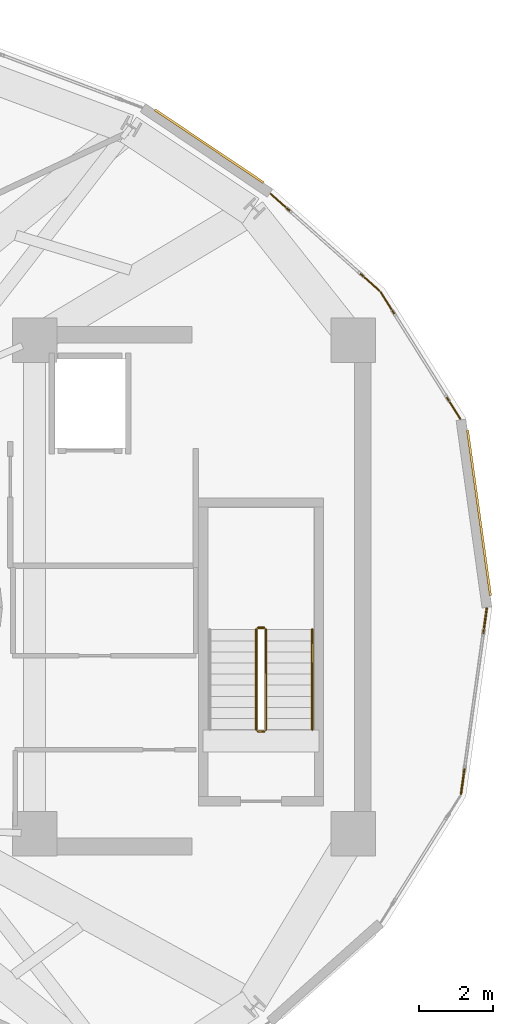
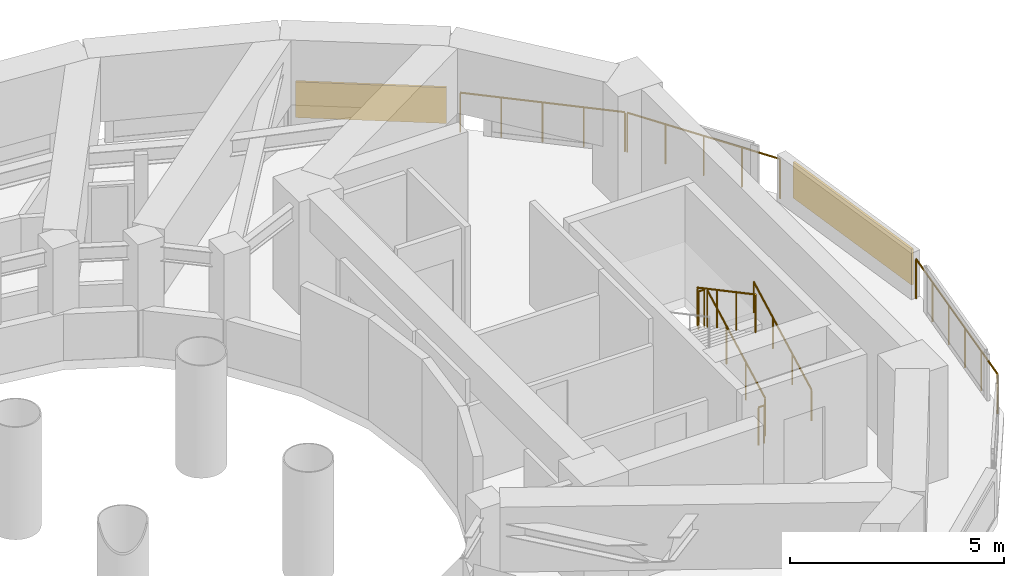
# One storey, part 17 of 17: 8 railings, 2 shading devices.
"""IFC4 building model written with IfcOpenShell, lengths in metres."""

from ifc_helpers import new_model, si_unit, direction, frame, origin, origin_2d, place, context, subcontext, project, spatial, rectangle, circle, extrude, material, layer, layer_set, type_object, element, save


model = new_model("IFC4")

# Units and contexts
model_context = context("Model", 3, precision=1e-05, world=origin(), true_north=direction((0.0, 1.0)))
body_context = subcontext(model_context, "Body", "Model", "MODEL_VIEW")
ifc_project = project(units=[si_unit("LENGTHUNIT", "METRE"), si_unit("AREAUNIT", "SQUARE_METRE"), si_unit("VOLUMEUNIT", "CUBIC_METRE"), si_unit("PLANEANGLEUNIT", "RADIAN"), si_unit("MASSUNIT", "GRAM", prefix="KILO")], contexts=[model_context])

# Site, building, storey
site_placement = place(None, origin())
site = spatial("IfcSite", under=ifc_project, at=site_placement, CompositionType="ELEMENT")
building_placement = place(site_placement, origin())
building = spatial("IfcBuilding", under=site, at=building_placement, Name="Solvane Sanctuary Tower", CompositionType="ELEMENT")
storey_placement = place(building_placement, frame((0.0, 0.0, 273.199951171875)))
storey = spatial("IfcBuildingStorey", under=building, at=storey_placement, Name="L83", CompositionType="ELEMENT", Elevation=273.199951171875)

# Railings
ifc_material_1 = material(Name="Architectural Stainless Steel 316", Category="steel")
railing_type_1 = type_object("IfcRailingType", Name="Railing GR-BALC-1150", PredefinedType="BALUSTRADE", material=ifc_material_1)
railing_1_placement = place(storey_placement, frame((51.58251953125, 28.08251953125, 0.0)))
element("IfcRailing", 1, at=railing_1_placement, inside=storey, type_object=railing_type_1, Name="L83 Crown Curtain-Wall Sill Guard 01", PredefinedType="BALUSTRADE", context=body_context, shape_type="SweptSolid", body=[
    extrude(circle(Radius=0.02392578125, at=origin_2d()), frame((0.0, 0.0, 1.1259765625), z_axis=(-0.53180448567, 0.846867161379, 0.0), x_axis=(-0.846867161379, -0.53180448567, 0.0)), (0.0, 0.0, 1.0), 4.032470703125),
    extrude(circle(Radius=0.02099609375, at=origin_2d()), origin(), (0.0, 0.0, 1.0), 1.101806640625),
    extrude(circle(Radius=0.02099609375, at=origin_2d()), frame((-0.5361328125, 0.853759765625, 0.0)), (0.0, 0.0, 1.0), 1.101806640625),
    extrude(circle(Radius=0.02099609375, at=origin_2d()), frame((-1.072265625, 1.70751953125, 0.0)), (0.0, 0.0, 1.0), 1.101806640625),
    extrude(circle(Radius=0.02099609375, at=origin_2d()), frame((-1.6083984375, 2.561279296875, 0.0)), (0.0, 0.0, 1.0), 1.101806640625),
    extrude(circle(Radius=0.02099609375, at=origin_2d()), frame((-2.14453125, 3.4150390625, 0.0)), (0.0, 0.0, 1.0), 1.101806640625),
])
railing_2_placement = place(storey_placement, frame((49.399658203125, 31.54296875, 0.0)))
element("IfcRailing", 2, at=railing_2_placement, inside=storey, type_object=railing_type_1, Name="L83 Crown Curtain-Wall Sill Guard 02", PredefinedType="BALUSTRADE", context=body_context, shape_type="SweptSolid", body=[
    extrude(circle(Radius=0.02392578125, at=origin_2d()), frame((0.0, 0.0, 1.1259765625), z_axis=(-0.746935211009, 0.664896827, 0.0), x_axis=(-0.664896827, -0.746935211009, 0.0)), (0.0, 0.0, 1.0), 3.92236328125),
    extrude(circle(Radius=0.02099609375, at=origin_2d()), origin(), (0.0, 0.0, 1.0), 1.101806640625),
    extrude(circle(Radius=0.02099609375, at=origin_2d()), frame((-0.732421875, 0.65185546875, 0.0)), (0.0, 0.0, 1.0), 1.101806640625),
    extrude(circle(Radius=0.02099609375, at=origin_2d()), frame((-1.46484375, 1.303955078125, 0.0)), (0.0, 0.0, 1.0), 1.101806640625),
    extrude(circle(Radius=0.02099609375, at=origin_2d()), frame((-2.197265625, 1.9560546875, 0.0)), (0.0, 0.0, 1.0), 1.101806640625),
    extrude(circle(Radius=0.02099609375, at=origin_2d()), frame((-2.9296875, 2.60791015625, 0.0)), (0.0, 0.0, 1.0), 1.101806640625),
])
railing_3_placement = place(storey_placement, frame((51.602783203125, 17.97265625, 0.0)))
element("IfcRailing", 3, at=railing_3_placement, inside=storey, type_object=railing_type_1, Name="L83 Crown Curtain-Wall Sill Guard 23", PredefinedType="BALUSTRADE", context=body_context, shape_type="SweptSolid", body=[
    extrude(circle(Radius=0.02392578125, at=origin_2d()), frame((0.0, 0.0, 1.1259765625), z_axis=(0.137375839078, 0.990518994688, 0.0), x_axis=(-0.990518994688, 0.137375839078, 0.0)), (0.0, 0.0, 1.0), 5.04541015625),
    extrude(circle(Radius=0.02099609375, at=origin_2d()), origin(), (0.0, 0.0, 1.0), 1.101806640625),
    extrude(circle(Radius=0.02099609375, at=origin_2d()), frame((0.138671875, 0.99951171875, 0.0)), (0.0, 0.0, 1.0), 1.101806640625),
    extrude(circle(Radius=0.02099609375, at=origin_2d()), frame((0.27734375, 1.9990234375, 0.0)), (0.0, 0.0, 1.0), 1.101806640625),
    extrude(circle(Radius=0.02099609375, at=origin_2d()), frame((0.415771484375, 2.99853515625, 0.0)), (0.0, 0.0, 1.0), 1.101806640625),
    extrude(circle(Radius=0.02099609375, at=origin_2d()), frame((0.554443359375, 3.998046875, 0.0)), (0.0, 0.0, 1.0), 1.101806640625),
    extrude(circle(Radius=0.02099609375, at=origin_2d()), frame((0.693115234375, 4.99755859375, 0.0)), (0.0, 0.0, 1.0), 1.101806640625),
])
railing_4_placement = place(storey_placement, frame((46.340087890625, 19.699951171875, 0.16015625)))
element("IfcRailing", 4, at=railing_4_placement, inside=storey, type_object=railing_type_1, Name="L83 ST-2 stair guard 1", PredefinedType="BALUSTRADE", context=body_context, shape_type="SweptSolid", body=[
    extrude(circle(Radius=0.02392578125, at=origin_2d()), frame((0.0, 0.0, 1.076171875), z_axis=(0.0, 0.882357358376, 0.470579952952), x_axis=(-1.0, 0.0, 0.0)), (0.0, 0.0, 1.0), 3.059814453125),
    extrude(circle(Radius=0.02099609375, at=origin_2d()), origin(), (0.0, 0.0, 1.0), 1.052001953125),
    extrude(circle(Radius=0.02099609375, at=origin_2d()), frame((0.0, 0.89990234375, 0.47998046875)), (0.0, 0.0, 1.0), 1.052001953125),
    extrude(circle(Radius=0.02099609375, at=origin_2d()), frame((0.0, 1.800048828125, 0.9599609375)), (0.0, 0.0, 1.0), 1.052001953125),
    extrude(circle(Radius=0.02099609375, at=origin_2d()), frame((0.0, 2.699951171875, 1.43994140625)), (0.0, 0.0, 1.0), 1.052001953125),
])
railing_5_placement = place(storey_placement, frame((46.2900390625, 22.449951171875, 1.60009765625)))
element("IfcRailing", 5, at=railing_5_placement, inside=storey, type_object=railing_type_1, Name="L83 ST-2 stair guard 2", PredefinedType="BALUSTRADE", context=body_context, shape_type="SweptSolid", body=[
    extrude(circle(Radius=0.02392578125, at=origin_2d()), frame((0.0, 0.0, 1.076171875), z_axis=(-1.0, 0.0, 0.0), x_axis=(0.0, -1.0, 0.0)), (0.0, 0.0, 1.0), 0.16015625),
    extrude(circle(Radius=0.02099609375, at=origin_2d()), origin(), (0.0, 0.0, 1.0), 1.052001953125),
    extrude(circle(Radius=0.02099609375, at=origin_2d()), frame((-0.16015625, 0.0, 0.0)), (0.0, 0.0, 1.0), 1.052001953125),
])
railing_6_placement = place(storey_placement, frame((46.080078125, 22.39990234375, 1.760009765625)))
element("IfcRailing", 6, at=railing_6_placement, inside=storey, type_object=railing_type_1, Name="L83 ST-2 stair guard 3", PredefinedType="BALUSTRADE", context=body_context, shape_type="SweptSolid", body=[
    extrude(circle(Radius=0.02392578125, at=origin_2d()), frame((0.0, 0.0, 1.076171875), z_axis=(0.0, -0.882357358376, 0.470579952952), x_axis=(1.0, 0.0, 0.0)), (0.0, 0.0, 1.0), 3.059814453125),
    extrude(circle(Radius=0.02099609375, at=origin_2d()), origin(), (0.0, 0.0, 1.0), 1.052001953125),
    extrude(circle(Radius=0.02099609375, at=origin_2d()), frame((0.0, -0.89990234375, 0.47998046875)), (0.0, 0.0, 1.0), 1.052001953125),
    extrude(circle(Radius=0.02099609375, at=origin_2d()), frame((0.0, -1.800048828125, 0.9599609375)), (0.0, 0.0, 1.0), 1.052001953125),
    extrude(circle(Radius=0.02099609375, at=origin_2d()), frame((0.0, -2.699951171875, 1.43994140625)), (0.0, 0.0, 1.0), 1.052001953125),
])
railing_7_placement = place(storey_placement, frame((46.2900390625, 19.64990234375, 0.0)))
element("IfcRailing", 7, at=railing_7_placement, inside=storey, type_object=railing_type_1, Name="L83 ST-2 stair guard 4", PredefinedType="BALUSTRADE", context=body_context, shape_type="SweptSolid", body=[
    extrude(circle(Radius=0.02392578125, at=origin_2d()), frame((0.0, 0.0, 1.076171875), z_axis=(-1.0, 0.0, 0.0), x_axis=(0.0, -1.0, 0.0)), (0.0, 0.0, 1.0), 0.16015625),
    extrude(circle(Radius=0.02099609375, at=origin_2d()), origin(), (0.0, 0.0, 1.0), 1.052001953125),
    extrude(circle(Radius=0.02099609375, at=origin_2d()), frame((-0.16015625, 0.0, 0.0)), (0.0, 0.0, 1.0), 1.052001953125),
])
railing_type_2 = type_object("IfcRailingType", Name="Railing HR-STAIR-920", PredefinedType="HANDRAIL", material=ifc_material_1)
railing_8_placement = place(storey_placement, frame((47.590087890625, 19.699951171875, 0.16015625)))
element("IfcRailing", 8, at=railing_8_placement, inside=storey, type_object=railing_type_2, Name="L83 ST-2 stair handrail 1", PredefinedType="HANDRAIL", context=body_context, shape_type="SweptSolid", body=[
    extrude(circle(Radius=0.02392578125, at=origin_2d()), frame((0.0, 0.0, 0.8759765625), z_axis=(0.0, 0.882357358376, 0.470579952952), x_axis=(-1.0, 0.0, 0.0)), (0.0, 0.0, 1.0), 3.059814453125),
    extrude(circle(Radius=0.02099609375, at=origin_2d()), origin(), (0.0, 0.0, 1.0), 0.851806640625),
    extrude(circle(Radius=0.02099609375, at=origin_2d()), frame((0.0, 0.89990234375, 0.47998046875)), (0.0, 0.0, 1.0), 0.851806640625),
    extrude(circle(Radius=0.02099609375, at=origin_2d()), frame((0.0, 1.800048828125, 0.9599609375)), (0.0, 0.0, 1.0), 0.851806640625),
    extrude(circle(Radius=0.02099609375, at=origin_2d()), frame((0.0, 2.699951171875, 1.43994140625)), (0.0, 0.0, 1.0), 0.851806640625),
])

# Shading devices
ifc_material_2 = material(Name="Anodised Aluminium 6063-T6", Category="aluminium")
ifc_layer = layer(ifc_material_2, 0.06005859375, Name="Anodised Aluminium 6063-T6")
ifc_layer_set = layer_set([ifc_layer], Name="Anodised Aluminium 6063-T6")
shading_device_type = type_object("IfcShadingDeviceType", Name="Shading SHD-LOUVRE", PredefinedType="JALOUSIE", material=ifc_layer_set)
shading_device_1_placement = place(storey_placement, frame((52.087890625, 25.547607421875, 0.150146484375), z_axis=(0.0, 0.0, 1.0), x_axis=(-0.137384039001, 0.9905178574, 0.0)))
element("IfcShadingDevice", 9, at=shading_device_1_placement, inside=storey, type_object=shading_device_type, Name="L83 Crown Storm Louvre Panel 00", PredefinedType="JALOUSIE", context=body_context, shape_type="SweptSolid", body=[
    extrude(rectangle(XDim=4.50537109375, YDim=0.06005859375, at=origin_2d()), origin(), (0.0, 0.0, 1.0), 1.02001953125),
])
shading_device_2_placement = place(storey_placement, frame((44.813232421875, 35.43701171875, 0.150146484375), z_axis=(0.0, 0.0, 1.0), x_axis=(-0.830154381679, 0.557533588745, 0.0)))
element("IfcShadingDevice", 10, at=shading_device_2_placement, inside=storey, type_object=shading_device_type, Name="L83 Crown Storm Louvre Panel 03", PredefinedType="JALOUSIE", context=body_context, shape_type="SweptSolid", body=[
    extrude(rectangle(XDim=3.525146484375, YDim=0.06005859375, at=origin_2d()), origin(), (0.0, 0.0, 1.0), 1.02001953125),
])

save(model, "model.ifc")
